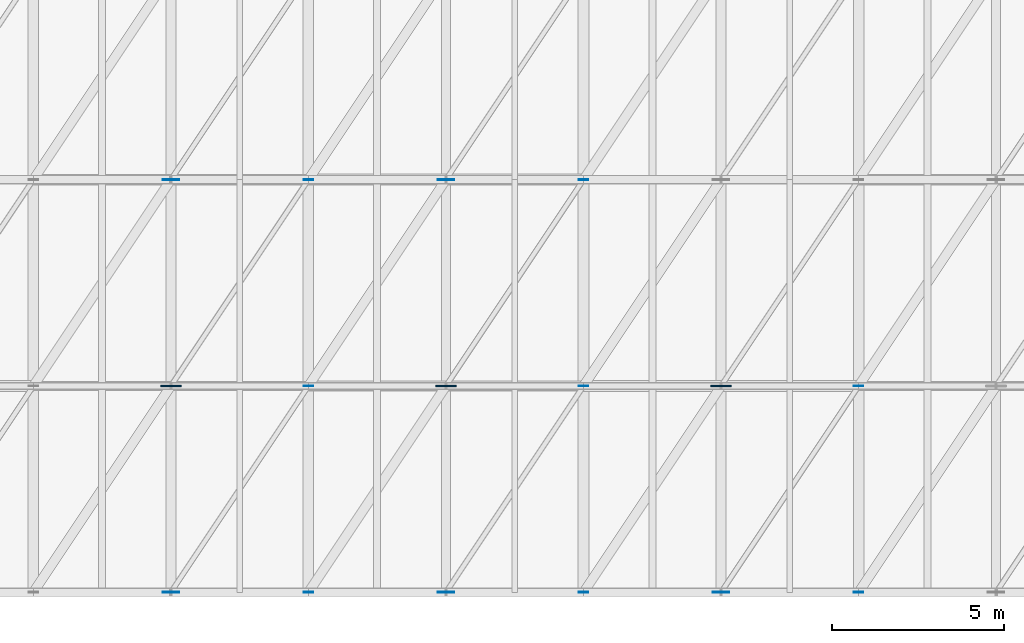
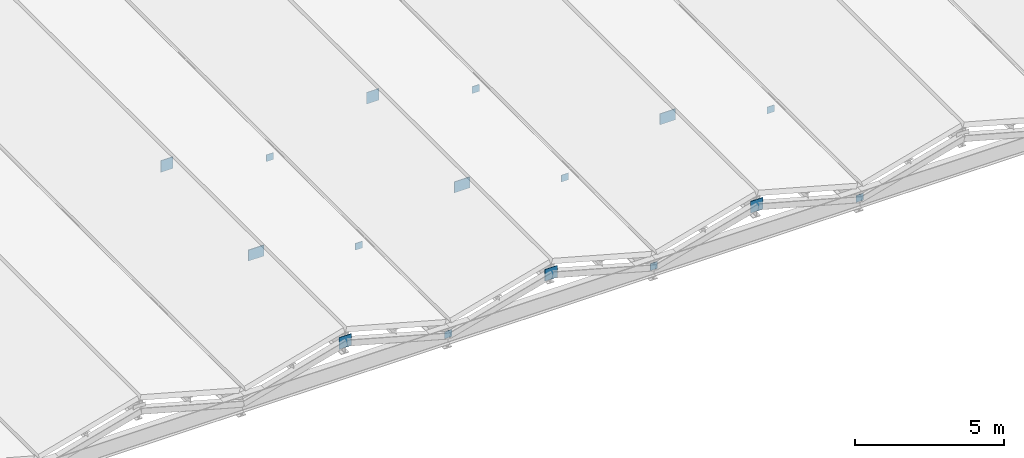
# One storey, part 19 of 27: 16 plates.
"""IFC4 building model written with IfcOpenShell, lengths in metres."""

import ifcopenshell
import ifcopenshell.guid

model = None  # the IFC model being written
_history = None  # IfcOwnerHistory: only IFC2X3 demands one
_inside = {}  # id of a spatial element -> (the spatial element, [elements in it])
_under = {}  # id of a project, library or spatial element -> (it, [spatial elements below it])
_declared = {}  # id of a project -> (the project, [libraries it declares])
_typed = {}  # id of a type object -> (the type object, [elements of that type])
_made_of = {}  # id of a material, layer set ... -> (it, [elements and type objects made of it])


def new_model(schema):
    """Start an empty IFC model of exactly this schema.

    Asked for "IFC4X3", IfcOpenShell would pick the latest addendum, in which some entities
    have other attributes; the version numbers below select the first issue.
    IFC2X3 requires an IfcOwnerHistory on every rooted entity: one is made here for all.
    """
    global model, _history
    if schema == "IFC4X3":
        model = ifcopenshell.file(schema_version=(4, 3, 0, 0))
    else:
        model = ifcopenshell.file(schema=schema)
    _inside.clear()
    _under.clear()
    _declared.clear()
    _typed.clear()
    _made_of.clear()
    _history = None
    if model.schema == "IFC2X3":
        org = make("IfcOrganization", Name="unknown")
        user = make(
            "IfcPersonAndOrganization",
            ThePerson=make("IfcPerson", FamilyName="unknown"),
            TheOrganization=org,
        )
        app = make(
            "IfcApplication",
            ApplicationDeveloper=org,
            Version="unknown",
            ApplicationFullName="unknown",
            ApplicationIdentifier="unknown",
        )
        _history = make(
            "IfcOwnerHistory",
            OwningUser=user,
            OwningApplication=app,
            ChangeAction="ADDED",
            CreationDate=0,
        )
    return model


def make(cls, **values):
    """One entity of the class cls with the attributes given. An attribute that is None is left unset."""
    return model.create_entity(
        cls, **{name: value for name, value in values.items() if value is not None}
    )


def rooted(cls, **values):
    """An entity with a GlobalId (a new one), such as an element, a storey or a relation."""
    return make(cls, GlobalId=ifcopenshell.guid.new(), OwnerHistory=_history, **values)


def si_unit(unit_type, name, prefix=None):
    """IfcSIUnit, for example si_unit("LENGTHUNIT", "METRE", prefix="MILLI")."""
    return make("IfcSIUnit", UnitType=unit_type, Prefix=prefix, Name=name)


def assignment(units):
    """IfcUnitAssignment: the units of a project."""
    return None if units is None else make("IfcUnitAssignment", Units=units)


def point(xyz):
    """IfcCartesianPoint."""
    return None if xyz is None else make("IfcCartesianPoint", Coordinates=xyz)


def direction(xyz):
    """IfcDirection."""
    return None if xyz is None else make("IfcDirection", DirectionRatios=xyz)


def frame(location, z_axis=None, x_axis=None):
    """IfcAxis2Placement3D, a coordinate frame: its origin and axes. An axis left out is left unset."""
    return make(
        "IfcAxis2Placement3D",
        Location=point(location),
        Axis=direction(z_axis),
        RefDirection=direction(x_axis),
    )


def frame_2d(location, x_axis=None):
    """IfcAxis2Placement2D, a coordinate frame in the plane: its origin and x axis."""
    return make(
        "IfcAxis2Placement2D", Location=point(location), RefDirection=direction(x_axis)
    )


def origin():
    """The frame at (0, 0, 0) with its axes left unset."""
    return frame((0.0, 0.0, 0.0))


def origin_2d():
    """The frame at (0, 0) in the plane with its x axis left unset."""
    return frame_2d((0.0, 0.0))


def place(relative_to, where):
    """IfcLocalPlacement: puts the frame where relative to a parent placement (None: the world)."""
    return make(
        "IfcLocalPlacement", PlacementRelTo=relative_to, RelativePlacement=where
    )


def context(
    kind, dimensions, precision=None, world=None, true_north=None, identifier=None
):
    """IfcGeometricRepresentationContext, for example the 3D "Model" context."""
    return make(
        "IfcGeometricRepresentationContext",
        ContextIdentifier=identifier,
        ContextType=kind,
        CoordinateSpaceDimension=dimensions,
        Precision=precision,
        WorldCoordinateSystem=world,
        TrueNorth=true_north,
    )


def subcontext(parent, identifier, kind, view, scale=None):
    """IfcGeometricRepresentationSubContext, for example "Body" below "Model"."""
    return make(
        "IfcGeometricRepresentationSubContext",
        ContextIdentifier=identifier,
        ContextType=kind,
        ParentContext=parent,
        TargetScale=scale,
        TargetView=view,
    )


def project(units=None, contexts=None):
    """IfcProject with its units and contexts."""
    return rooted(
        "IfcProject",
        Name="project",
        RepresentationContexts=contexts,
        UnitsInContext=assignment(units),
    )


def spatial(cls, under=None, at=None, **own):
    """A site, building, storey or space (cls), placed at a placement, below another one or the project."""
    s = rooted(cls, ObjectPlacement=at, **own)
    if under is not None:
        _under.setdefault(under.id(), (under, []))[1].append(s)
    return s


def profile(cls, at=None, kind="AREA", **sizes):
    """A parametric profile (cls). Its sizes go by their IFC names, for example OverallWidth=200.0."""
    return make(cls, ProfileType=kind, Position=at, **sizes)


def rectangle(**sizes):
    """IfcRectangleProfileDef."""
    return profile("IfcRectangleProfileDef", **sizes)


def extrude(swept, where, along, depth):
    """IfcExtrudedAreaSolid: the profile swept, set in the frame where, extruded along a direction by depth."""
    return make(
        "IfcExtrudedAreaSolid",
        SweptArea=swept,
        Position=where,
        ExtrudedDirection=direction(along),
        Depth=depth,
    )


def shape(context_of_items, identifier, shape_type, items):
    """IfcShapeRepresentation: the items that make up one representation, for example the "Body"."""
    return make(
        "IfcShapeRepresentation",
        ContextOfItems=context_of_items,
        RepresentationIdentifier=identifier,
        RepresentationType=shape_type,
        Items=items,
    )


def material(Name=None, Category=None):
    """IfcMaterial."""
    return make("IfcMaterial", Name=Name, Category=Category)


def layer(
    of_material, thickness, ventilated=None, Name=None, Category=None, Priority=None
):
    """IfcMaterialLayer: one layer of a wall or slab, of a material (None: an air gap)."""
    return make(
        "IfcMaterialLayer",
        Material=of_material,
        LayerThickness=thickness,
        IsVentilated=ventilated,
        Name=Name,
        Category=Category,
        Priority=Priority,
    )


def layer_set(layers, Name=None):
    """IfcMaterialLayerSet."""
    return make("IfcMaterialLayerSet", MaterialLayers=layers, LayerSetName=Name)


def made_of(thing, what):
    """Note that an element or type object is made of a material, layer set ...; save() writes the relation."""
    if what is not None:
        _made_of.setdefault(what.id(), (what, []))[1].append(thing)
    return thing


def type_object(cls, material=None, **own):
    """A type object (cls), such as IfcWallType, which elements share."""
    return made_of(rooted(cls, **own), material)


def element(
    cls,
    number,
    at=None,
    inside=None,
    cuts=None,
    type_object=None,
    material=None,
    context=None,
    identifier="Body",
    shape_type=None,
    held_by="IfcProductDefinitionShape",
    body=None,
    shapes=None,
    **own,
):
    """One element of the class cls, such as IfcWall. Its Tag is "e" and its number.

    at: its placement. inside: the storey or other place that contains it. cuts: it is an
    opening in that element (IfcRelVoidsElement). A single representation is given by context,
    identifier, shape_type and body (its items); several are given by shapes. held_by: the class
    of the entity that holds the representations. save() writes the other relations.
    """
    e = rooted(cls, Tag="e%d" % number, ObjectPlacement=at, **own)
    if body is not None:
        shapes = [shape(context, identifier, shape_type, body)]
    if shapes is not None:
        e.Representation = make(held_by, Representations=shapes)
    if inside is not None:
        _inside.setdefault(inside.id(), (inside, []))[1].append(e)
    if cuts is not None:
        rooted(
            "IfcRelVoidsElement", RelatingBuildingElement=cuts, RelatedOpeningElement=e
        )
    if type_object is not None:
        _typed.setdefault(type_object.id(), (type_object, []))[1].append(e)
    return made_of(e, material)


def aggregate(whole, parts):
    """IfcRelAggregates: a whole, such as a stair, and the parts it consists of."""
    return rooted("IfcRelAggregates", RelatingObject=whole, RelatedObjects=parts)


def save(model, path):
    """Write the relations noted so far, then the file.

    IfcRelAggregates (storeys below a building ...), IfcRelContainedInSpatialStructure (elements
    in a storey), IfcRelDefinesByType, IfcRelAssociatesMaterial and IfcRelDeclares: one each for
    every whole, place, type object, material and project.
    """
    for whole, parts in _under.values():
        aggregate(whole, parts)
    for where, things in _inside.values():
        rooted(
            "IfcRelContainedInSpatialStructure",
            RelatedElements=things,
            RelatingStructure=where,
        )
    for kind, things in _typed.values():
        rooted("IfcRelDefinesByType", RelatedObjects=things, RelatingType=kind)
    for what, things in _made_of.values():
        rooted("IfcRelAssociatesMaterial", RelatedObjects=things, RelatingMaterial=what)
    for by, libraries in _declared.values():
        rooted("IfcRelDeclares", RelatingContext=by, RelatedDefinitions=libraries)
    model.write(path)


model = new_model("IFC4")

# Units and contexts
model_context = context("Model", 3, precision=1e-05, world=origin(), true_north=direction((0.0, 1.0)))
body_context = subcontext(model_context, "Body", "Model", "MODEL_VIEW")
ifc_project = project(units=[si_unit("LENGTHUNIT", "METRE"), si_unit("AREAUNIT", "SQUARE_METRE"), si_unit("VOLUMEUNIT", "CUBIC_METRE"), si_unit("PLANEANGLEUNIT", "RADIAN"), si_unit("MASSUNIT", "GRAM", prefix="KILO")], contexts=[model_context])

# Site, building, storey
site_placement = place(None, origin())
site = spatial("IfcSite", under=ifc_project, at=site_placement, CompositionType="ELEMENT")
building_placement = place(site_placement, origin())
building = spatial("IfcBuilding", under=site, at=building_placement, Name="Verrall Gate Interchange", CompositionType="ELEMENT")
storey_placement = place(building_placement, frame((0.0, 0.0, 32.800048828125)))
storey = spatial("IfcBuildingStorey", under=building, at=storey_placement, Name="RF", CompositionType="ELEMENT", Elevation=32.800048828125)

# Plates
ifc_material_1 = material(Name="Structural Steel CSA G40.21 350WT Cat 4", Category="steel")
ifc_layer_1 = layer(ifc_material_1, 0.02001953125)
ifc_layer_set_1 = layer_set([ifc_layer_1], Name="Structural Steel CSA G40.21 350WT Cat 4")
plate_type_1 = type_object("IfcPlateType", Name="GP-01 Gusset Plate 20", PredefinedType="SHEET", material=ifc_layer_set_1)
for number, where, z_axis, x_axis, name in (
    (1, (72.0, 12.0, -15.9482421875), (0.0, 0.0, 1.0), (1.0, 0.0, 0.0), "Folded-Plate Ridge Gusset Node KN-R5-0"),
    (2, (72.0, 24.0, -15.9482421875), (0.0, 0.0, 1.0), (1.0, 0.0, 0.0), "Folded-Plate Ridge Gusset Node KN-R5-2"),
    (3, (80.0, 12.0, -15.9482421875), (0.0, 0.0, 1.0), (1.0, 0.0, 0.0), "Folded-Plate Ridge Gusset Node KN-R6-0"),
):
    element("IfcPlate", number, at=place(storey_placement, frame(where, z_axis=z_axis, x_axis=x_axis)), inside=storey, type_object=plate_type_1, Name=name, PredefinedType="SHEET", context=body_context, shape_type="SweptSolid", body=[
        extrude(rectangle(XDim=0.47998046875, YDim=0.02001953125, at=origin_2d()), origin(), (0.0, 0.0, 1.0), 0.47998046875),
    ])
for number, where, z_axis, x_axis, name in (
    (4, (76.0, 12.0, -16.9482421875), (0.0, 0.0, 1.0), (1.0, 0.0, 0.0), "Folded-Plate Valley Gusset Node KN-V6-0-0"),
    (5, (76.0, 18.0, -16.9482421875), (0.0, 0.0, 1.0), (1.0, 0.0, 0.0), "Folded-Plate Valley Gusset Node KN-V6-0-1"),
):
    element("IfcPlate", number, at=place(storey_placement, frame(where, z_axis=z_axis, x_axis=x_axis)), inside=storey, type_object=plate_type_1, Name=name, PredefinedType="SHEET", context=body_context, shape_type="SweptSolid", body=[
        extrude(rectangle(XDim=0.280029296875, YDim=0.02001953125, at=origin_2d()), origin(), (0.0, 0.0, 1.0), 0.280029296875),
    ])
plate_1_placement = place(storey_placement, frame((80.0, 24.0, -15.9482421875), z_axis=(0.0, 0.0, 1.0), x_axis=(1.0, 0.0, 0.0)))
element("IfcPlate", 6, at=plate_1_placement, inside=storey, type_object=plate_type_1, Name="Folded-Plate Ridge Gusset Node KN-R6-2", PredefinedType="SHEET", context=body_context, shape_type="SweptSolid", body=[
    extrude(rectangle(XDim=0.47998046875, YDim=0.02001953125, at=origin_2d()), origin(), (0.0, 0.0, 1.0), 0.47998046875),
])
plate_2_placement = place(storey_placement, frame((76.0, 24.0, -16.9482421875), z_axis=(0.0, 0.0, 1.0), x_axis=(1.0, 0.0, 0.0)))
element("IfcPlate", 7, at=plate_2_placement, inside=storey, type_object=plate_type_1, Name="Folded-Plate Valley Gusset Node KN-V6-0-2", PredefinedType="SHEET", context=body_context, shape_type="SweptSolid", body=[
    extrude(rectangle(XDim=0.280029296875, YDim=0.02001953125, at=origin_2d()), origin(), (0.0, 0.0, 1.0), 0.280029296875),
])
plate_3_placement = place(storey_placement, frame((88.0, 12.0, -15.9482421875), z_axis=(0.0, 0.0, 1.0), x_axis=(1.0, 0.0, 0.0)))
element("IfcPlate", 8, at=plate_3_placement, inside=storey, type_object=plate_type_1, Name="Folded-Plate Ridge Gusset Node KN-R7-0", PredefinedType="SHEET", context=body_context, shape_type="SweptSolid", body=[
    extrude(rectangle(XDim=0.47998046875, YDim=0.02001953125, at=origin_2d()), origin(), (0.0, 0.0, 1.0), 0.47998046875),
])
for number, where, z_axis, x_axis, name in (
    (9, (84.0, 12.0, -16.9482421875), (0.0, 0.0, 1.0), (1.0, 0.0, 0.0), "Folded-Plate Valley Gusset Node KN-V7-0-0"),
    (10, (84.0, 18.0, -16.9482421875), (0.0, 0.0, 1.0), (1.0, 0.0, 0.0), "Folded-Plate Valley Gusset Node KN-V7-0-1"),
    (11, (84.0, 24.0, -16.9482421875), (0.0, 0.0, 1.0), (1.0, 0.0, 0.0), "Folded-Plate Valley Gusset Node KN-V7-0-2"),
    (12, (92.0, 12.0, -16.9482421875), (0.0, 0.0, 1.0), (1.0, 0.0, 0.0), "Folded-Plate Valley Gusset Node KN-V8-0-0"),
    (13, (92.0, 18.0, -16.9482421875), (0.0, 0.0, 1.0), (1.0, 0.0, 0.0), "Folded-Plate Valley Gusset Node KN-V8-0-1"),
):
    element("IfcPlate", number, at=place(storey_placement, frame(where, z_axis=z_axis, x_axis=x_axis)), inside=storey, type_object=plate_type_1, Name=name, PredefinedType="SHEET", context=body_context, shape_type="SweptSolid", body=[
        extrude(rectangle(XDim=0.280029296875, YDim=0.02001953125, at=origin_2d()), origin(), (0.0, 0.0, 1.0), 0.280029296875),
    ])
ifc_material_2 = material(Name="Structural Steel CSA G40.21 350WT Cat 4", Category="steel")
ifc_layer_2 = layer(ifc_material_2, 0.030029296875)
ifc_layer_set_2 = layer_set([ifc_layer_2], Name="Structural Steel CSA G40.21 350WT Cat 4")
plate_type_2 = type_object("IfcPlateType", Name="GP-02 Gusset Plate 30", PredefinedType="SHEET", material=ifc_layer_set_2)
for number, where, z_axis, x_axis, name in (
    (14, (72.0, 18.0, -15.93310546875), (0.0, 0.0, 1.0), (1.0, 0.0, 0.0), "Folded-Plate Ridge Gusset Node KN-R5-1"),
    (15, (80.0, 18.0, -15.93310546875), (0.0, 0.0, 1.0), (1.0, 0.0, 0.0), "Folded-Plate Ridge Gusset Node KN-R6-1"),
    (16, (88.0, 18.0, -15.93310546875), (0.0, 0.0, 1.0), (1.0, 0.0, 0.0), "Folded-Plate Ridge Gusset Node KN-R7-1"),
):
    element("IfcPlate", number, at=place(storey_placement, frame(where, z_axis=z_axis, x_axis=x_axis)), inside=storey, type_object=plate_type_2, Name=name, PredefinedType="SHEET", context=body_context, shape_type="SweptSolid", body=[
        extrude(rectangle(XDim=0.60009765625, YDim=0.030029296875, at=origin_2d()), origin(), (0.0, 0.0, 1.0), 0.449951171875),
    ])

save(model, "model.ifc")
